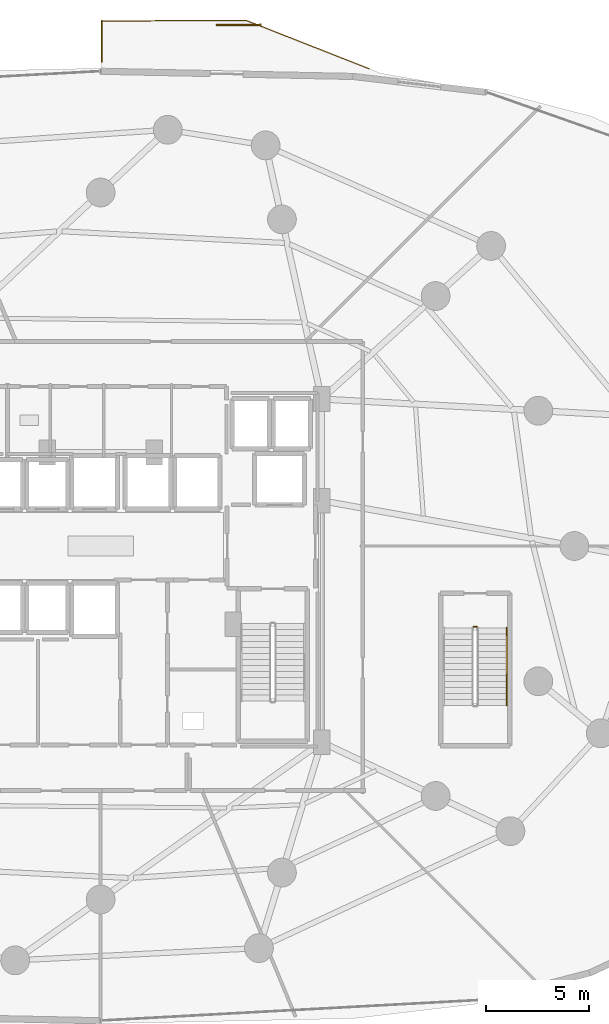
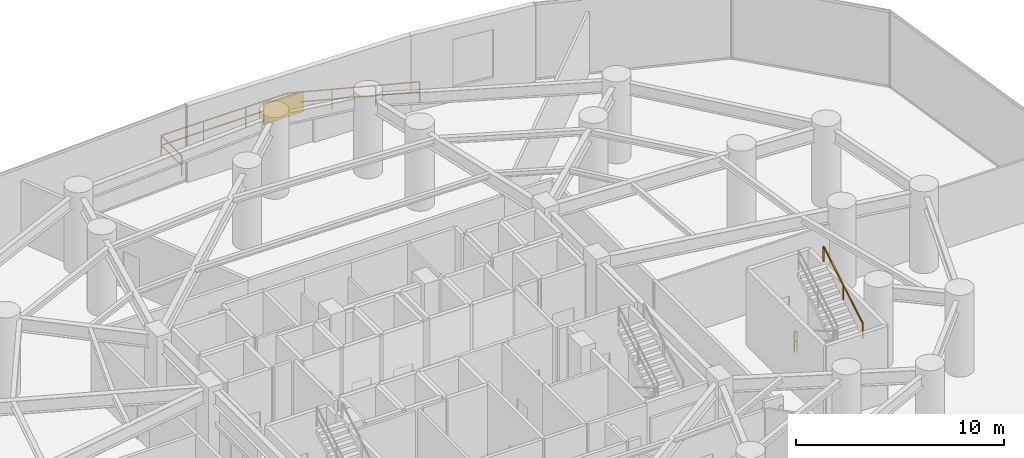
# One storey, part 29 of 30: 4 railings, 1 shading device.
"""IFC4 building model written with IfcOpenShell, lengths in metres."""

from ifc_helpers import new_model, si_unit, direction, frame, origin, origin_2d, place, context, subcontext, project, spatial, rectangle, extrude, material, type_object, element, save


model = new_model("IFC4")

# Units and contexts
model_context = context("Model", 3, precision=1e-05, world=origin(), true_north=direction((0.0, 1.0)))
body_context = subcontext(model_context, "Body", "Model", "MODEL_VIEW")
ifc_project = project(units=[si_unit("LENGTHUNIT", "METRE"), si_unit("AREAUNIT", "SQUARE_METRE"), si_unit("VOLUMEUNIT", "CUBIC_METRE"), si_unit("PLANEANGLEUNIT", "RADIAN"), si_unit("MASSUNIT", "GRAM", prefix="KILO")], contexts=[model_context])

# Site, building, storey
site_placement = place(None, origin())
site = spatial("IfcSite", under=ifc_project, at=site_placement, CompositionType="ELEMENT")
building_placement = place(site_placement, origin())
building = spatial("IfcBuilding", under=site, at=building_placement, Name="Vorneva Point Tower", CompositionType="ELEMENT")
storey_placement = place(building_placement, frame((0.0, 0.0, 9.60009765625)))
storey = spatial("IfcBuildingStorey", under=building, at=storey_placement, Name="L02", CompositionType="ELEMENT", Elevation=9.60009765625)

# Railings
ifc_material_1 = material(Name="Pale anodised aluminium", Category="aluminium")
railing_type_1 = type_object("IfcRailingType", Name="RL-BAL-1200", PredefinedType="BALUSTRADE", material=ifc_material_1)
railing_1_placement = place(storey_placement, frame((38.050048828125, 51.550048828125, 0.0)))
element("IfcRailing", 1, at=railing_1_placement, inside=storey, type_object=railing_type_1, Name="L02 Wave Balcony Balustrade NE.1", PredefinedType="BALUSTRADE", context=body_context, shape_type="SweptSolid", body=[
    extrude(rectangle(XDim=0.048095703125, YDim=0.048095703125, at=origin_2d()), frame((0.0, 0.0, 1.17578125), z_axis=(0.0, -1.0, 0.0), x_axis=(1.0, 0.0, 0.0)), (0.0, 0.0, 1.0), 1.985107421875),
    extrude(rectangle(XDim=0.048095703125, YDim=0.048095703125, at=origin_2d()), frame((0.0, 0.0, 0.60009765625), z_axis=(0.0, -1.0, 0.0), x_axis=(1.0, 0.0, 0.0)), (0.0, 0.0, 1.0), 1.985107421875),
    extrude(rectangle(XDim=0.0419921875, YDim=0.0419921875, at=origin_2d()), origin(), (0.0, 0.0, 1.0), 1.15185546875),
    extrude(rectangle(XDim=0.0419921875, YDim=0.0419921875, at=origin_2d()), frame((0.0, -1.985107421875, 0.0)), (0.0, 0.0, 1.0), 1.15185546875),
])
railing_2_placement = place(storey_placement, frame((51.055419921875, 49.227783203125, 0.0)))
element("IfcRailing", 2, at=railing_2_placement, inside=storey, type_object=railing_type_1, Name="L02 Wave Balcony Balustrade NE.2", PredefinedType="BALUSTRADE", context=body_context, shape_type="SweptSolid", body=[
    extrude(rectangle(XDim=0.048095703125, YDim=0.048095703125, at=origin_2d()), frame((0.0, 0.0, 1.17578125), z_axis=(-0.930703276401, 0.365775082936, 0.0), x_axis=(-0.365775082936, -0.930703276401, 0.0)), (0.0, 0.0, 1.0), 6.401611328125),
    extrude(rectangle(XDim=0.048095703125, YDim=0.048095703125, at=origin_2d()), frame((0.0, 0.0, 0.60009765625), z_axis=(-0.930703276401, 0.365775082936, 0.0), x_axis=(-0.365775082936, -0.930703276401, 0.0)), (0.0, 0.0, 1.0), 6.401611328125),
    extrude(rectangle(XDim=0.048095703125, YDim=0.048095703125, at=origin_2d()), frame((-5.9580078125, 2.341552734375, 1.17578125), z_axis=(-0.999996255028, -0.00273677351, 0.0), x_axis=(0.00273677351, -0.999996255028, 0.0)), (0.0, 0.0, 1.0), 7.04736328125),
    extrude(rectangle(XDim=0.048095703125, YDim=0.048095703125, at=origin_2d()), frame((-5.9580078125, 2.341552734375, 0.60009765625), z_axis=(-0.999996255028, -0.00273677351, 0.0), x_axis=(0.00273677351, -0.999996255028, 0.0)), (0.0, 0.0, 1.0), 7.04736328125),
    extrude(rectangle(XDim=0.0419921875, YDim=0.0419921875, at=origin_2d()), origin(), (0.0, 0.0, 1.0), 1.15185546875),
    extrude(rectangle(XDim=0.0419921875, YDim=0.0419921875, at=origin_2d()), frame((-1.986083984375, 0.780517578125, 0.0)), (0.0, 0.0, 1.0), 1.15185546875),
    extrude(rectangle(XDim=0.0419921875, YDim=0.0419921875, at=origin_2d()), frame((-3.971923828125, 1.56103515625, 0.0)), (0.0, 0.0, 1.0), 1.15185546875),
    extrude(rectangle(XDim=0.0419921875, YDim=0.0419921875, at=origin_2d()), frame((-5.9580078125, 2.341552734375, 0.0)), (0.0, 0.0, 1.0), 1.15185546875),
    extrude(rectangle(XDim=0.0419921875, YDim=0.0419921875, at=origin_2d()), frame((-8.30712890625, 2.335205078125, 0.0)), (0.0, 0.0, 1.0), 1.15185546875),
    extrude(rectangle(XDim=0.0419921875, YDim=0.0419921875, at=origin_2d()), frame((-10.65625, 2.32861328125, 0.0)), (0.0, 0.0, 1.0), 1.15185546875),
    extrude(rectangle(XDim=0.0419921875, YDim=0.0419921875, at=origin_2d()), frame((-13.00537109375, 2.322265625, 0.0)), (0.0, 0.0, 1.0), 1.15185546875),
])
ifc_material_2 = material(Name="Brushed stainless steel S304", Category="steel")
railing_type_2 = type_object("IfcRailingType", Name="RL-HND-920", PredefinedType="HANDRAIL", material=ifc_material_2)
railing_3_placement = place(storey_placement, frame((57.75, 18.25, 2.5712890625)))
element("IfcRailing", 3, at=railing_3_placement, inside=storey, type_object=railing_type_2, Name="L02 ST4 stair handrail 2", PredefinedType="HANDRAIL", context=body_context, shape_type="SweptSolid", body=[
    extrude(rectangle(XDim=0.048095703125, YDim=0.048095703125, at=origin_2d()), frame((0.0, 0.0, 0.8759765625), z_axis=(0.0, 0.860848830602, 0.508860777473), x_axis=(-1.0, 0.0, 0.0)), (0.0, 0.0, 1.0), 4.37939453125),
    extrude(rectangle(XDim=0.0419921875, YDim=0.0419921875, at=origin_2d()), origin(), (0.0, 0.0, 1.0), 0.851806640625),
    extrude(rectangle(XDim=0.0419921875, YDim=0.0419921875, at=origin_2d()), frame((0.0, 1.885009765625, 1.1142578125)), (0.0, 0.0, 1.0), 0.851806640625),
    extrude(rectangle(XDim=0.0419921875, YDim=0.0419921875, at=origin_2d()), frame((0.0, 3.77001953125, 2.228515625)), (0.0, 0.0, 1.0), 0.851806640625),
])
railing_type_3 = type_object("IfcRailingType", Name="RL-STG-1100", PredefinedType="GUARDRAIL", material=ifc_material_2)
railing_4_placement = place(storey_placement, frame((56.14990234375, 22.070068359375, 0.0)))
element("IfcRailing", 4, at=railing_4_placement, inside=storey, type_object=railing_type_3, Name="L02 ST4 stair guard 4", PredefinedType="GUARDRAIL", context=body_context, shape_type="SweptSolid", body=[
    extrude(rectangle(XDim=0.048095703125, YDim=0.048095703125, at=origin_2d()), frame((0.0, 0.0, 1.17578125), z_axis=(1.0, 0.0, 0.0), x_axis=(0.0, 1.0, 0.0)), (0.0, 0.0, 1.0), 0.150146484375),
    extrude(rectangle(XDim=0.048095703125, YDim=0.048095703125, at=origin_2d()), frame((0.0, 0.0, 0.60009765625), z_axis=(1.0, 0.0, 0.0), x_axis=(0.0, 1.0, 0.0)), (0.0, 0.0, 1.0), 0.150146484375),
    extrude(rectangle(XDim=0.0419921875, YDim=0.0419921875, at=origin_2d()), origin(), (0.0, 0.0, 1.0), 1.15185546875),
    extrude(rectangle(XDim=0.0419921875, YDim=0.0419921875, at=origin_2d()), frame((0.150146484375, 0.0, 0.0)), (0.0, 0.0, 1.0), 1.15185546875),
])

# Shading device
shading_device_type = type_object("IfcShadingDeviceType", Name="SHD-JAL-1200", PredefinedType="JALOUSIE", material=ifc_material_1)
shading_device_placement = place(storey_placement, frame((44.718017578125, 51.35595703125, -0.02001953125), z_axis=(0.0, 0.0, 1.0), x_axis=(-0.999996245745, -0.002740163497, 0.0)))
element("IfcShadingDevice", 5, at=shading_device_placement, inside=storey, type_object=shading_device_type, Name="L02 Balcony Vertical-Greenery Planter Screen NE.2", PredefinedType="JALOUSIE", context=body_context, shape_type="SweptSolid", body=[
    extrude(rectangle(XDim=2.199951171875, YDim=0.080078125, at=origin_2d()), origin(), (0.0, 0.0, 1.0), 1.199951171875),
])

save(model, "model.ifc")
